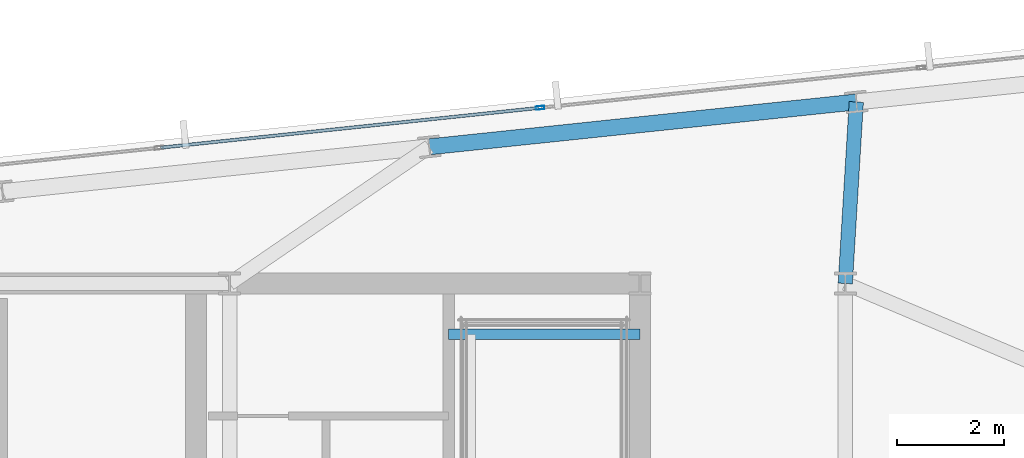
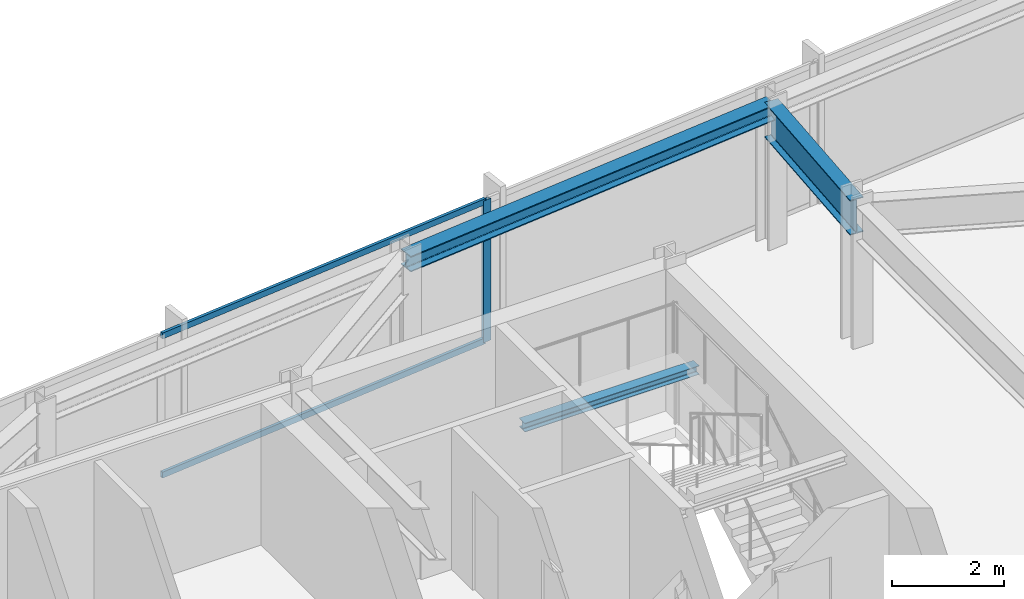
# One storey, part 23 of 32: 3 beams, 3 members, 1 element without a shape of its own.
"""IFC4 building model written with IfcOpenShell, lengths in metres."""

from ifc_helpers import new_model, si_unit, direction, frame, origin, origin_2d, place, context, subcontext, project, spatial, hollow_rectangle, i_section, extrude, material, material_profile, profile_set, type_object, element, aggregate, save


model = new_model("IFC4")

# Units and contexts
model_context = context("Model", 3, precision=1e-05, world=origin(), true_north=direction((0.0, 1.0)))
body_context = subcontext(model_context, "Body", "Model", "MODEL_VIEW")
ifc_project = project(units=[si_unit("LENGTHUNIT", "METRE"), si_unit("AREAUNIT", "SQUARE_METRE"), si_unit("VOLUMEUNIT", "CUBIC_METRE"), si_unit("PLANEANGLEUNIT", "RADIAN"), si_unit("MASSUNIT", "GRAM", prefix="KILO")], contexts=[model_context])

# Site, building, storey
site_placement = place(None, origin())
site = spatial("IfcSite", under=ifc_project, at=site_placement, CompositionType="ELEMENT")
building_placement = place(site_placement, origin())
building = spatial("IfcBuilding", under=site, at=building_placement, Name="Yelkora Congress Tower", CompositionType="ELEMENT")
storey_placement = place(building_placement, frame((0.0, 0.0, 211.10009765625)))
storey = spatial("IfcBuildingStorey", under=building, at=storey_placement, Name="L58", CompositionType="ELEMENT", Elevation=211.10009765625)

# Beams
ifc_material_1 = material(Name="Steel S355J2", Category="steel")
ifc_material_profile_1 = material_profile(ifc_material_1, i_section(OverallWidth=0.26708984375, OverallDepth=0.761962890625, WebThickness=0.014404296875, FlangeThickness=0.021484375, FilletRadius=0.01708984375, at=origin_2d()), Name="IPE 750x173")
ifc_profile_set_1 = profile_set([ifc_material_profile_1], Name="Steel S355J2")
beam_type_1 = type_object("IfcBeamType", Name="BM-GIRD-IPE750", PredefinedType="BEAM", material=ifc_profile_set_1)
beam_1_placement = place(storey_placement, frame((57.806640625, 49.5966796875, 2.698974609375), z_axis=(-0.060694337224, -0.998156399283, 0.0), x_axis=(0.998156399283, -0.060694337224, 0.0)))
element("IfcBeam", 1, at=beam_1_placement, inside=storey, type_object=beam_type_1, Name="L58 Primary Frame Girder N06", PredefinedType="BEAM", context=body_context, shape_type="SweptSolid", body=[
    extrude(i_section(OverallWidth=0.26708984375, OverallDepth=0.761962890625, WebThickness=0.014404296875, FlangeThickness=0.021484375, FilletRadius=0.01708984375, at=origin_2d()), origin(), (0.0, 0.0, 1.0), 3.403076171875),
])
ifc_material_profile_2 = material_profile(ifc_material_1, i_section(OverallWidth=0.199951171875, OverallDepth=0.18994140625, WebThickness=0.006591796875, FlangeThickness=0.010009765625, FilletRadius=0.01806640625, at=origin_2d()), Name="HEA 200")
ifc_profile_set_2 = profile_set([ifc_material_profile_2], Name="Steel S355J2")
beam_type_2 = type_object("IfcBeamType", Name="BM-LAND-HEA200", PredefinedType="BEAM", material=ifc_profile_set_2)
beam_2_placement = place(storey_placement, frame((50.179931640625, 45.25, 1.33447265625), z_axis=(1.0, 0.0, 0.0), x_axis=(0.0, 1.0, 0.0)))
element("IfcBeam", 2, at=beam_2_placement, inside=storey, type_object=beam_type_2, Name="ST-02 L58 Landing Header Beam 1N", PredefinedType="BEAM", context=body_context, shape_type="SweptSolid", body=[
    extrude(i_section(OverallWidth=0.199951171875, OverallDepth=0.18994140625, WebThickness=0.006591796875, FlangeThickness=0.010009765625, FilletRadius=0.01806640625, at=origin_2d()), origin(), (0.0, 0.0, 1.0), 3.580078125),
])
ifc_material_profile_3 = material_profile(ifc_material_1, i_section(OverallWidth=0.300048828125, OverallDepth=0.340087890625, WebThickness=0.011962890625, FlangeThickness=0.021484375, FilletRadius=0.027099609375, at=origin_2d()), Name="HEB 340")
ifc_profile_set_3 = profile_set([ifc_material_profile_3], Name="Steel S355J2")
beam_type_3 = type_object("IfcBeamType", Name="BM-SPAN-HEB340", PredefinedType="SPANDREL", material=ifc_profile_set_3)
beam_3_placement = place(storey_placement, frame((57.806640625, 49.5966796875, 2.909912109375), z_axis=(-0.994523256947, -0.104515507904, 0.0), x_axis=(0.104515507904, -0.994523256947, 0.0)))
element("IfcBeam", 3, at=beam_3_placement, inside=storey, type_object=beam_type_3, Name="L58 Perimeter Beam 14", PredefinedType="SPANDREL", context=body_context, shape_type="SweptSolid", body=[
    extrude(i_section(OverallWidth=0.300048828125, OverallDepth=0.340087890625, WebThickness=0.011962890625, FlangeThickness=0.021484375, FilletRadius=0.027099609375, at=origin_2d()), origin(), (0.0, 0.0, 1.0), 8.033203125),
])

# Curtain wall, members
ifc_material_2 = material(Name="Anodised aluminium and insulated glass", Category="aluminium")
curtain_wall_type = type_object("IfcCurtainWallType", Name="CW-SYS-B4", PredefinedType="NOTDEFINED", material=ifc_material_2)
curtain_wall_placement = place(storey_placement, origin())
curtain_wall = element("IfcCurtainWall", 4, at=curtain_wall_placement, inside=storey, type_object=curtain_wall_type, Name="L58 Unitised Curtain Wall 10 (3)", PredefinedType="NOTDEFINED")
ifc_material_3 = material(Name="Anodised aluminium 6063-T6", Category="aluminium")
ifc_material_profile_4 = material_profile(ifc_material_3, hollow_rectangle(XDim=0.06494140625, YDim=0.159912109375, WallThickness=0.00390625, at=origin_2d()), Name="ALU 65x160x4")
ifc_profile_set_4 = profile_set([ifc_material_profile_4], Name="Anodised aluminium 6063-T6")
member_type_1 = type_object("IfcMemberType", Name="MEM-ML-B4", PredefinedType="MULLION", material=ifc_profile_set_4)
member_1_placement = place(storey_placement, frame((51.888916015625, 49.487548828125, 0.0), z_axis=(0.0, 0.0, 1.0), x_axis=(-0.104527724021, 0.994521973066, 0.0)))
member_1 = element("IfcMember", 5, at=member_1_placement, type_object=member_type_1, Name="CW-B4 mullion 5", PredefinedType="MULLION", context=body_context, shape_type="SweptSolid", body=[
    extrude(hollow_rectangle(XDim=0.06494140625, YDim=0.159912109375, WallThickness=0.00390625, at=origin_2d()), origin(), (0.0, 0.0, 1.0), 3.079833984375),
])
ifc_material_profile_5 = material_profile(ifc_material_3, hollow_rectangle(XDim=0.06005859375, YDim=0.1298828125, WallThickness=0.00390625, at=origin_2d()), Name="ALU 60x130x4")
ifc_profile_set_5 = profile_set([ifc_material_profile_5], Name="Anodised aluminium 6063-T6")
member_type_2 = type_object("IfcMemberType", Name="MEM-TR-B4", PredefinedType="USERDEFINED", material=ifc_profile_set_5)
member_2_placement = place(storey_placement, frame((44.79052734375, 48.74169921875, 0.02978515625), z_axis=(0.99452200925, 0.104527379751, 0.0), x_axis=(-0.104527379751, 0.99452200925, 0.0)))
member_2 = element("IfcMember", 6, at=member_2_placement, type_object=member_type_2, Name="CW-B4 transom 4.1", ObjectType="TRANSOM", PredefinedType="USERDEFINED", context=body_context, shape_type="SweptSolid", body=[
    extrude(hollow_rectangle(XDim=0.06005859375, YDim=0.1298828125, WallThickness=0.00390625, at=origin_2d()), origin(), (0.0, 0.0, 1.0), 7.10498046875),
])
member_3_placement = place(storey_placement, frame((44.79052734375, 48.74169921875, 3.0498046875), z_axis=(0.99452200925, 0.104527379751, 0.0), x_axis=(-0.104527379751, 0.99452200925, 0.0)))
member_3 = element("IfcMember", 7, at=member_3_placement, type_object=member_type_2, Name="CW-B4 transom 4.2", ObjectType="TRANSOM", PredefinedType="USERDEFINED", context=body_context, shape_type="SweptSolid", body=[
    extrude(hollow_rectangle(XDim=0.06005859375, YDim=0.1298828125, WallThickness=0.00390625, at=origin_2d()), origin(), (0.0, 0.0, 1.0), 7.10498046875),
])
aggregate(curtain_wall, [member_1, member_2, member_3])

save(model, "model.ifc")
